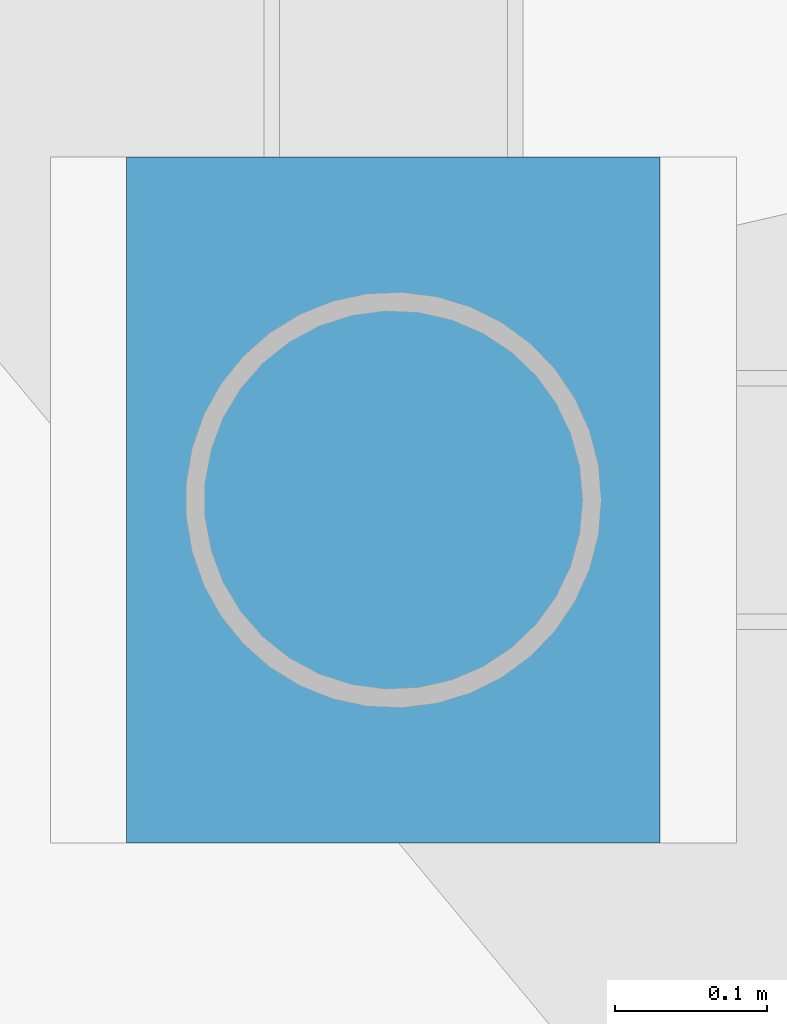
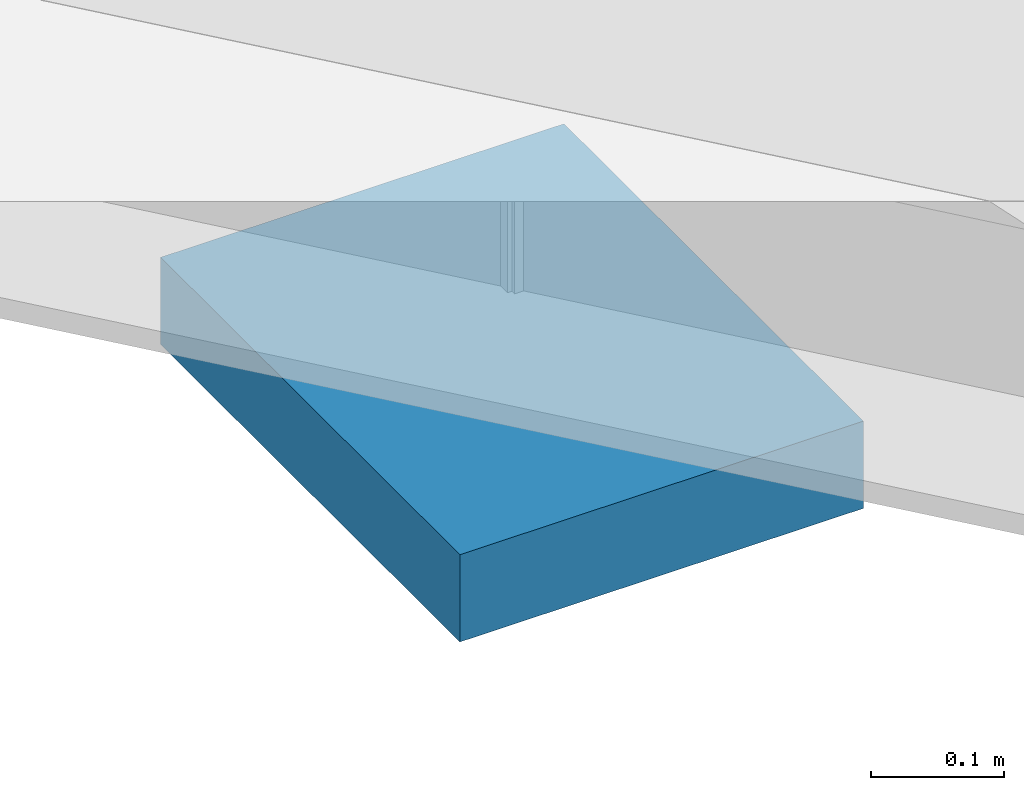
# One storey, part 115 of 125: 1 discrete accessory.
"""IFC4 building model written with IfcOpenShell, lengths in metres."""

from ifc_helpers import new_model, si_unit, direction, frame, origin, origin_2d, place, context, subcontext, project, spatial, rectangle, extrude, material, type_object, element, save


model = new_model("IFC4")

# Units and contexts
model_context = context("Model", 3, precision=1e-05, world=origin(), true_north=direction((0.0, 1.0)))
body_context = subcontext(model_context, "Body", "Model", "MODEL_VIEW")
ifc_project = project(units=[si_unit("LENGTHUNIT", "METRE"), si_unit("AREAUNIT", "SQUARE_METRE"), si_unit("VOLUMEUNIT", "CUBIC_METRE"), si_unit("PLANEANGLEUNIT", "RADIAN"), si_unit("MASSUNIT", "GRAM", prefix="KILO")], contexts=[model_context])

# Site, building, storey
site_placement = place(None, origin())
site = spatial("IfcSite", under=ifc_project, at=site_placement, CompositionType="ELEMENT")
building_placement = place(site_placement, origin())
building = spatial("IfcBuilding", under=site, at=building_placement, Name="Sohan Crest Arena", CompositionType="ELEMENT")
storey_placement = place(building_placement, frame((0.0, 0.0, 9.0)))
storey = spatial("IfcBuildingStorey", under=building, at=storey_placement, Name="L02", CompositionType="ELEMENT", Elevation=9.0)

# Discrete accessory
ifc_material = material(Name="Steel S355", Category="steel")
discrete_accessory_type = type_object("IfcDiscreteAccessoryType", Name="STR-ACC-SLB1", PredefinedType="USERDEFINED", material=ifc_material)
discrete_accessory_placement = place(storey_placement, frame((181.75, 57.699951171875, -0.655029296875), z_axis=(0.0, 0.0, 1.0), x_axis=(1.0, 0.0, 0.0)))
element("IfcDiscreteAccessory", 1, at=discrete_accessory_placement, inside=storey, type_object=discrete_accessory_type, Name="Unguided PTFE sliding bridge bearing BR-E1", ObjectType="SLIDING BEARING", PredefinedType="USERDEFINED", context=body_context, shape_type="SweptSolid", body=[
    extrude(rectangle(XDim=0.35009765625, YDim=0.449951171875, at=origin_2d()), origin(), (0.0, 0.0, 1.0), 0.080078125),
])

save(model, "model.ifc")
